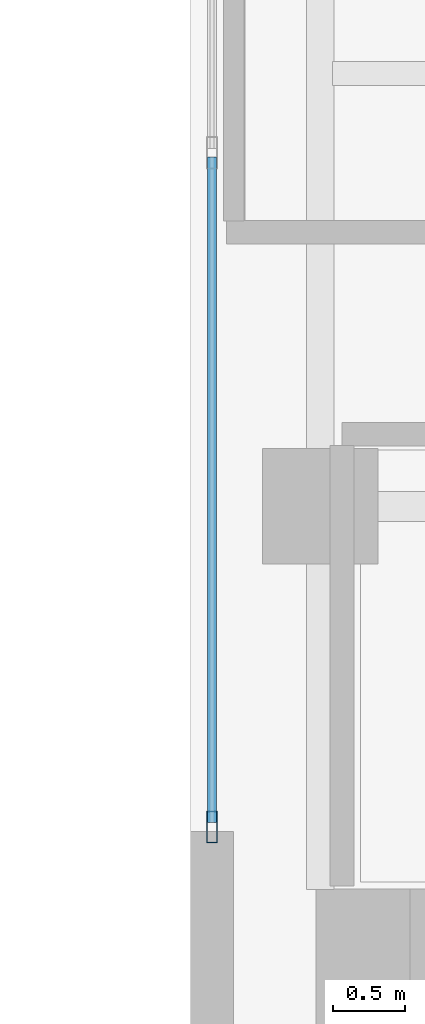
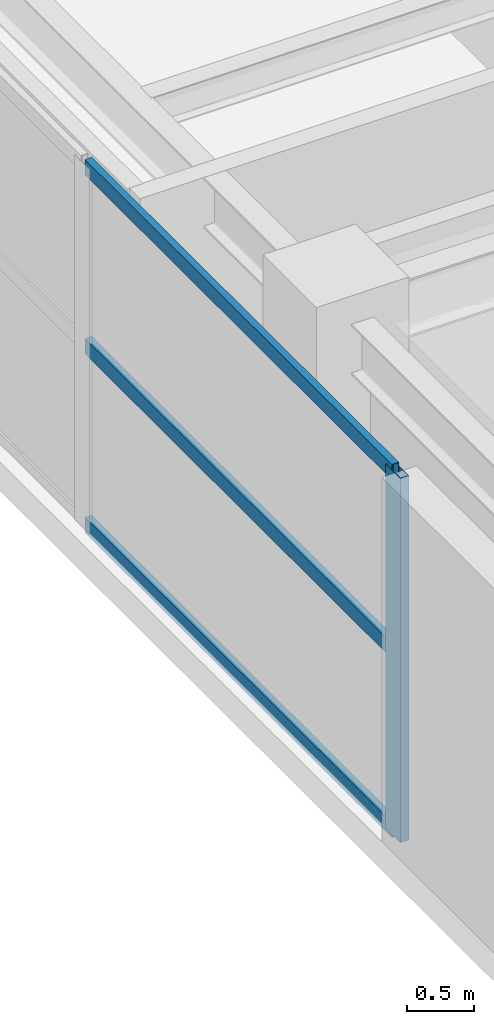
# One storey, part 8 of 22: 4 members, 1 element without a shape of its own.
"""IFC4 building model written with IfcOpenShell, lengths in metres."""

from ifc_helpers import new_model, si_unit, direction, frame, origin, origin_2d, place, context, subcontext, project, spatial, hollow_rectangle, extrude, source, transform, mapped, material, layer, layer_set, material_profile, profile_set, type_object, element, aggregate, save


model = new_model("IFC4")

# Units and contexts
model_context = context("Model", 3, precision=1e-05, world=origin(), true_north=direction((0.0, 1.0)))
body_context = subcontext(model_context, "Body", "Model", "MODEL_VIEW")
ifc_project = project(units=[si_unit("LENGTHUNIT", "METRE"), si_unit("AREAUNIT", "SQUARE_METRE"), si_unit("VOLUMEUNIT", "CUBIC_METRE"), si_unit("PLANEANGLEUNIT", "RADIAN"), si_unit("MASSUNIT", "GRAM", prefix="KILO")], contexts=[model_context])

# Site, building, storey
site_placement = place(None, origin())
site = spatial("IfcSite", under=ifc_project, at=site_placement, CompositionType="ELEMENT")
building_placement = place(site_placement, origin())
building = spatial("IfcBuilding", under=site, at=building_placement, Name="Khoralis Quay Care Tower", CompositionType="ELEMENT")
storey_placement = place(building_placement, frame((0.0, 0.0, 184.5)))
storey = spatial("IfcBuildingStorey", under=building, at=storey_placement, Name="L48", CompositionType="ELEMENT", Elevation=184.5)

# Curtain wall, members
ifc_material = material(Name="Pale anodised aluminium", Category="aluminium")
ifc_layer = layer(ifc_material, 0.18994140625)
ifc_layer_set = layer_set([ifc_layer], Name="Pale anodised aluminium")
curtain_wall_type = type_object("IfcCurtainWallType", Name="CW-SYS-PORTAL", PredefinedType="NOTDEFINED", material=ifc_layer_set)
curtain_wall_placement = place(storey_placement, origin())
curtain_wall = element("IfcCurtainWall", 1, at=curtain_wall_placement, inside=storey, type_object=curtain_wall_type, Name="L48 Unitised Curtain Wall CW-VP-L48-P2-N", PredefinedType="NOTDEFINED")
ifc_material_profile_1 = material_profile(ifc_material, hollow_rectangle(XDim=0.074951171875, YDim=0.219970703125, WallThickness=0.00390625, at=origin_2d()), Name="Pale anodised aluminium")
ifc_profile_set_1 = profile_set([ifc_material_profile_1], Name="Pale anodised aluminium")
member_type_1 = type_object("IfcMemberType", Name="CW-MUL-220", PredefinedType="MULLION", material=ifc_profile_set_1)
shared_shape_1 = source(origin(), body_context, "Body", "SweptSolid", [
    extrude(hollow_rectangle(XDim=0.074951171875, YDim=0.219970703125, WallThickness=0.00390625, at=origin_2d()), origin(), (0.0, 0.0, 1.0), 3.340087890625),
])
member_1_placement = place(storey_placement, frame((30.14990234375, 27.780029296875, 0.0), z_axis=(0.0, 0.0, 1.0), x_axis=(-1.0, 0.0, 0.0)))
member_1 = element("IfcMember", 2, at=member_1_placement, type_object=member_type_1, Name="CW4 mullion 1", PredefinedType="MULLION", context=body_context, shape_type="MappedRepresentation", body=[
    mapped(shared_shape_1, transform((0.0, 0.0, 0.0), scale=1.0)),
])
ifc_material_profile_2 = material_profile(ifc_material, hollow_rectangle(XDim=0.06005859375, YDim=0.139892578125, WallThickness=0.00390625, at=origin_2d()), Name="Pale anodised aluminium")
ifc_profile_set_2 = profile_set([ifc_material_profile_2], Name="Pale anodised aluminium")
member_type_2 = type_object("IfcMemberType", Name="CW-TRN-140", PredefinedType="USERDEFINED", material=ifc_profile_set_2)
shared_shape_2 = source(origin(), body_context, "Body", "SweptSolid", [
    extrude(hollow_rectangle(XDim=0.06005859375, YDim=0.139892578125, WallThickness=0.00390625, at=origin_2d()), origin(), (0.0, 0.0, 1.0), 4.60986328125),
])
member_2_placement = place(storey_placement, frame((30.14990234375, 27.81005859375, 0.030029296875), z_axis=(0.0, 1.0, 0.0), x_axis=(-1.0, 0.0, 0.0)))
member_2 = element("IfcMember", 3, at=member_2_placement, type_object=member_type_2, Name="CW4 transom 1.1", ObjectType="TRANSOM", PredefinedType="USERDEFINED", context=body_context, shape_type="MappedRepresentation", body=[
    mapped(shared_shape_2, transform((0.0, 0.0, 0.0), scale=1.0)),
])
member_3_placement = place(storey_placement, frame((30.14990234375, 27.81005859375, 1.669921875), z_axis=(0.0, 1.0, 0.0), x_axis=(-1.0, 0.0, 0.0)))
member_3 = element("IfcMember", 4, at=member_3_placement, type_object=member_type_2, Name="CW4 transom 1.2", ObjectType="TRANSOM", PredefinedType="USERDEFINED", context=body_context, shape_type="MappedRepresentation", body=[
    mapped(shared_shape_2, transform((0.0, 0.0, 0.0), scale=1.0)),
])
member_4_placement = place(storey_placement, frame((30.14990234375, 27.81005859375, 3.31005859375), z_axis=(0.0, 1.0, 0.0), x_axis=(-1.0, 0.0, 0.0)))
member_4 = element("IfcMember", 5, at=member_4_placement, type_object=member_type_2, Name="CW4 transom 1.3", ObjectType="TRANSOM", PredefinedType="USERDEFINED", context=body_context, shape_type="MappedRepresentation", body=[
    mapped(shared_shape_2, transform((0.0, 0.0, 0.0), scale=1.0)),
])
aggregate(curtain_wall, [member_1, member_2, member_3, member_4])

save(model, "model.ifc")
